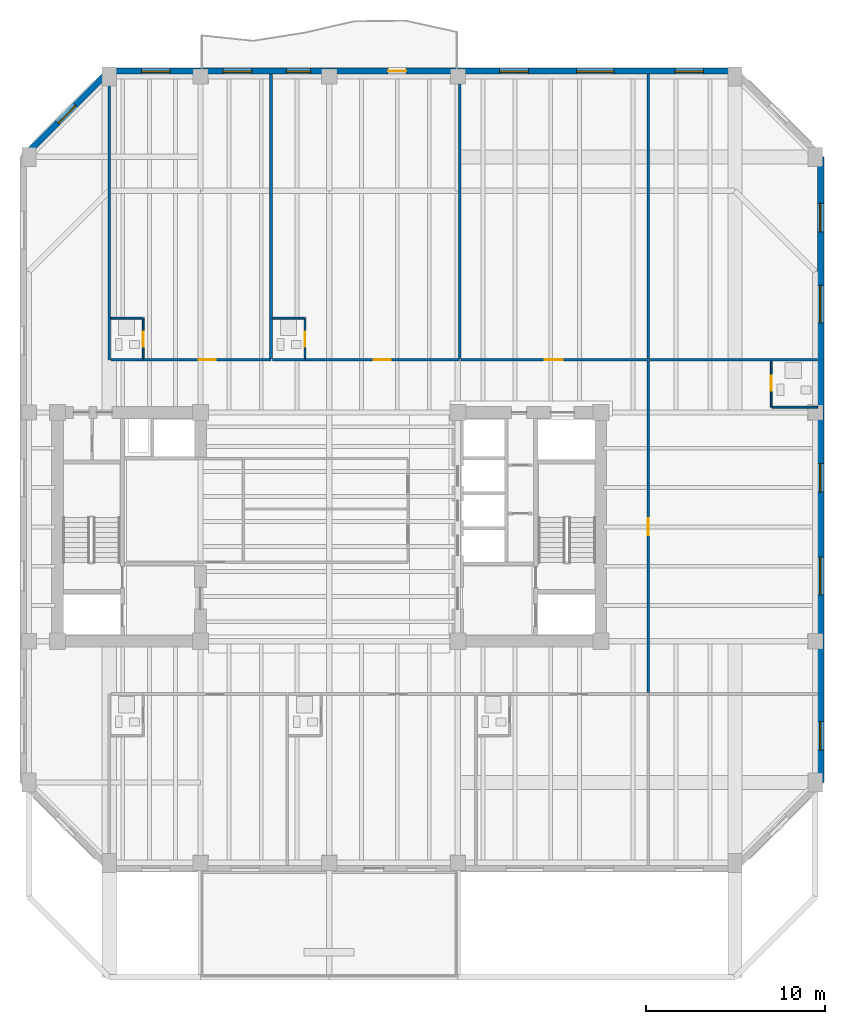
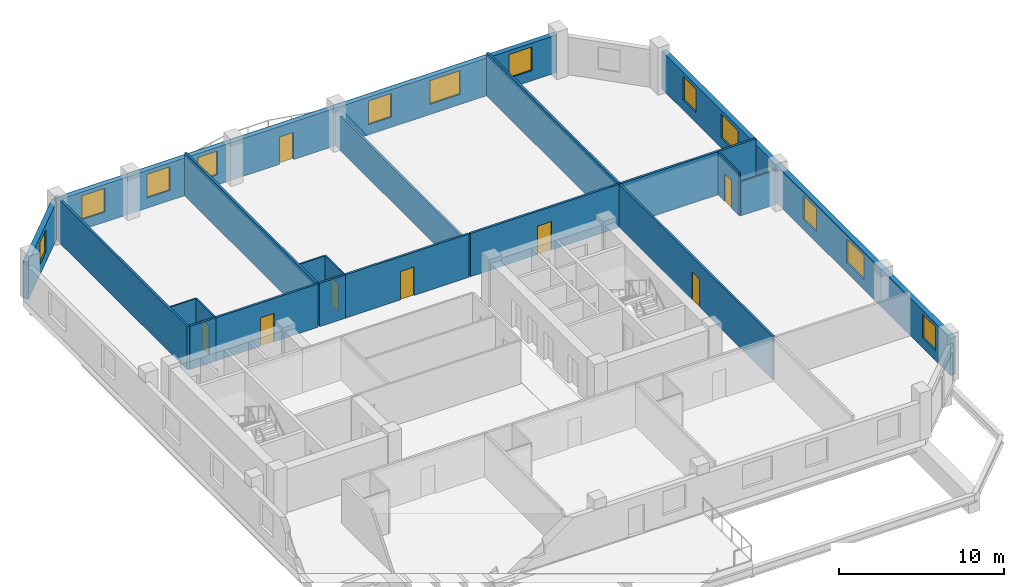
# One storey, part 5 of 10: 20 walls, 12 windows, 8 doors, 20 openings.
"""IFC4 building model written with IfcOpenShell, lengths in metres."""

from ifc_helpers import new_model, si_unit, direction, frame, frame_2d, origin, place, context, subcontext, project, spatial, rectangle, extrude, material, layer, layer_set, type_object, element, fill, save


model = new_model("IFC4")

# Units and contexts
model_context = context("Model", 3, precision=1e-05, world=origin(), true_north=direction((0.0, 1.0)))
body_context = subcontext(model_context, "Body", "Model", "MODEL_VIEW")
ifc_project = project(units=[si_unit("LENGTHUNIT", "METRE"), si_unit("AREAUNIT", "SQUARE_METRE"), si_unit("VOLUMEUNIT", "CUBIC_METRE"), si_unit("PLANEANGLEUNIT", "RADIAN"), si_unit("MASSUNIT", "GRAM", prefix="KILO")], contexts=[model_context])

# Site, building, storey
site_placement = place(None, origin())
site = spatial("IfcSite", under=ifc_project, at=site_placement, CompositionType="ELEMENT")
building_placement = place(site_placement, origin())
building = spatial("IfcBuilding", under=site, at=building_placement, Name="Kranthara Brick Stack", CompositionType="ELEMENT")
storey_placement = place(building_placement, frame((0.0, 0.0, 162.300048828125)))
storey = spatial("IfcBuildingStorey", under=building, at=storey_placement, Name="L41", CompositionType="ELEMENT", Elevation=162.300048828125)

# Wall, opening, window
ifc_material_1 = material(Name="Kiln-fired clay brick masonry M15", Category="masonry")
ifc_layer_1 = layer(ifc_material_1, 0.35009765625)
ifc_layer_set_1 = layer_set([ifc_layer_1], Name="Kiln-fired clay brick masonry M15")
wall_type_1 = type_object("IfcWallType", Name="WL-BRK-SPND-350", PredefinedType="STANDARD", material=ifc_layer_set_1)
wall_1_placement = place(storey_placement, frame((10.89501953125, 47.89990234375, 0.0), z_axis=(0.0, 0.0, 1.0), x_axis=(0.707088817216, 0.7071247447, 0.0)))
wall_1 = element("IfcWall", 1, at=wall_1_placement, inside=storey, type_object=wall_type_1, Name="L41 Exterior Brick Facade Wall NW 1", PredefinedType="STANDARD", context=body_context, shape_type="SweptSolid", body=[
    extrude(rectangle(XDim=6.79541015625, YDim=0.35009765625, at=frame_2d((3.397705078125, 0.0))), origin(), (0.0, 0.0, 1.0), 2.784912109375),
])
opening_1_placement = place(wall_1_placement, frame((2.697998046875, 0.0, 0.75)))
opening_1 = element("IfcOpeningElement", 2, at=opening_1_placement, cuts=wall_1, Name="Opening WN10", PredefinedType="OPENING", context=body_context, shape_type="SweptSolid", body=[
    extrude(rectangle(XDim=1.39990234375, YDim=1.64990234375, at=frame_2d((0.699951171875, 0.824951171875))), frame((0.0, 0.18505859375, 0.0), z_axis=(0.0, -1.0, 0.0), x_axis=(1.0, 0.0, 0.0)), (0.0, 0.0, 1.0), 0.3701171875),
])
ifc_material_2 = material(Name="Double-glazed low-E solar control glass", Category="glass")
window_type_1 = type_object("IfcWindowType", Name="WN-CHM-1400x1750", PartitioningType="SINGLE_PANEL", PredefinedType="WINDOW", material=ifc_material_2)
window_1_placement = place(opening_1_placement, origin())
window_1 = element("IfcWindow", 3, at=window_1_placement, inside=storey, type_object=window_type_1, Name="L41 NW Chamfer Corner Window", OverallHeight=1.64990234375, OverallWidth=1.39990234375, PartitioningType="SINGLE_PANEL", PredefinedType="WINDOW", context=body_context, shape_type="SweptSolid", body=[
    extrude(rectangle(XDim=1.39990234375, YDim=1.64990234375, at=frame_2d((0.699951171875, 0.824951171875))), frame((0.0, -0.010009765625, 0.0), z_axis=(0.0, -1.0, 0.0), x_axis=(1.0, 0.0, 0.0)), (0.0, 0.0, 1.0), 0.06005859375),
])
fill(opening_1, window_1)

# Wall, openings, door, windows
wall_2_placement = place(storey_placement, frame((15.699951171875, 52.705078125, 0.0), z_axis=(0.0, 0.0, 1.0), x_axis=(1.0, 0.0, 0.0)))
wall_2 = element("IfcWall", 4, at=wall_2_placement, inside=storey, type_object=wall_type_1, Name="L41 Exterior Brick Facade Wall NORTH 1", PredefinedType="STANDARD", context=body_context, shape_type="SweptSolid", body=[
    extrude(rectangle(XDim=35.0, YDim=0.35009765625, at=frame_2d((17.5, 0.0))), origin(), (0.0, 0.0, 1.0), 2.784912109375),
])
opening_2_placement = place(wall_2_placement, frame((15.60009765625, 0.0, 0.0)))
opening_2 = element("IfcOpeningElement", 5, at=opening_2_placement, cuts=wall_2, Name="Opening D03", PredefinedType="OPENING", context=body_context, shape_type="SweptSolid", body=[
    extrude(rectangle(XDim=1.0, YDim=2.02001953125, at=frame_2d((0.5, 1.010009765625))), frame((0.0, 0.18505859375, 0.0), z_axis=(0.0, -1.0, 0.0), x_axis=(1.0, 0.0, 0.0)), (0.0, 0.0, 1.0), 0.3701171875),
])
opening_3_placement = place(wall_2_placement, frame((1.800048828125, 0.0, 0.75)))
opening_3 = element("IfcOpeningElement", 6, at=opening_3_placement, cuts=wall_2, Name="Opening WN04", PredefinedType="OPENING", context=body_context, shape_type="SweptSolid", body=[
    extrude(rectangle(XDim=1.60009765625, YDim=1.75, at=frame_2d((0.800048828125, 0.875))), frame((0.0, 0.18505859375, 0.0), z_axis=(0.0, -1.0, 0.0), x_axis=(1.0, 0.0, 0.0)), (0.0, 0.0, 1.0), 0.3701171875),
])
opening_4_placement = place(wall_2_placement, frame((6.360107421875, 0.0, 0.75)))
opening_4 = element("IfcOpeningElement", 7, at=opening_4_placement, cuts=wall_2, Name="Opening WN04", PredefinedType="OPENING", context=body_context, shape_type="SweptSolid", body=[
    extrude(rectangle(XDim=1.60009765625, YDim=1.75, at=frame_2d((0.800048828125, 0.875))), frame((0.0, 0.18505859375, 0.0), z_axis=(0.0, -1.0, 0.0), x_axis=(1.0, 0.0, 0.0)), (0.0, 0.0, 1.0), 0.3701171875),
])
opening_5_placement = place(wall_2_placement, frame((9.909912109375, 0.0, 0.75)))
opening_5 = element("IfcOpeningElement", 8, at=opening_5_placement, cuts=wall_2, Name="Opening WN06", PredefinedType="OPENING", context=body_context, shape_type="SweptSolid", body=[
    extrude(rectangle(XDim=1.35009765625, YDim=1.75, at=frame_2d((0.675048828125, 0.875))), frame((0.0, 0.18505859375, 0.0), z_axis=(0.0, -1.0, 0.0), x_axis=(1.0, 0.0, 0.0)), (0.0, 0.0, 1.0), 0.3701171875),
])
opening_6_placement = place(wall_2_placement, frame((21.839111328125, 0.0, 0.75)))
opening_6 = element("IfcOpeningElement", 9, at=opening_6_placement, cuts=wall_2, Name="Opening WN04", PredefinedType="OPENING", context=body_context, shape_type="SweptSolid", body=[
    extrude(rectangle(XDim=1.60009765625, YDim=1.75, at=frame_2d((0.800048828125, 0.875))), frame((0.0, 0.18505859375, 0.0), z_axis=(0.0, -1.0, 0.0), x_axis=(1.0, 0.0, 0.0)), (0.0, 0.0, 1.0), 0.3701171875),
])
opening_7_placement = place(wall_2_placement, frame((26.136962890625, 0.0, 0.75)))
opening_7 = element("IfcOpeningElement", 10, at=opening_7_placement, cuts=wall_2, Name="Opening WN05", PredefinedType="OPENING", context=body_context, shape_type="SweptSolid", body=[
    extrude(rectangle(XDim=2.10009765625, YDim=1.75, at=frame_2d((1.050048828125, 0.875))), frame((0.0, 0.18505859375, 0.0), z_axis=(0.0, -1.0, 0.0), x_axis=(1.0, 0.0, 0.0)), (0.0, 0.0, 1.0), 0.3701171875),
])
opening_8_placement = place(wall_2_placement, frame((31.636962890625, 0.0, 0.75)))
opening_8 = element("IfcOpeningElement", 11, at=opening_8_placement, cuts=wall_2, Name="Opening WN04", PredefinedType="OPENING", context=body_context, shape_type="SweptSolid", body=[
    extrude(rectangle(XDim=1.60009765625, YDim=1.75, at=frame_2d((0.800048828125, 0.875))), frame((0.0, 0.18505859375, 0.0), z_axis=(0.0, -1.0, 0.0), x_axis=(1.0, 0.0, 0.0)), (0.0, 0.0, 1.0), 0.3701171875),
])
ifc_material_3 = material(Name="Bronze anodised aluminium and laminated glass", Category="aluminium")
door_type_1 = type_object("IfcDoorType", Name="DR-BALC-1000", OperationType="NOTDEFINED", PredefinedType="DOOR", material=ifc_material_3)
door_1_placement = place(opening_2_placement, origin())
door_1 = element("IfcDoor", 12, at=door_1_placement, inside=storey, type_object=door_type_1, Name="L41 North Balcony Terrace Door", OperationType="SINGLE_SWING_RIGHT", OverallHeight=2.02001953125, OverallWidth=1.0, PredefinedType="DOOR", context=body_context, shape_type="SweptSolid", body=[
    extrude(rectangle(XDim=1.0, YDim=2.02001953125, at=frame_2d((0.5, 1.010009765625))), frame((0.0, 0.02490234375, 0.0), z_axis=(0.0, -1.0, 0.0), x_axis=(1.0, 0.0, 0.0)), (0.0, 0.0, 1.0), 0.050048828125),
])
fill(opening_2, door_1)
ifc_material_4 = material(Name="Double-glazed low-E solar control glass", Category="glass")
window_type_2 = type_object("IfcWindowType", Name="WN-HTL-1350x1850", PartitioningType="SINGLE_PANEL", PredefinedType="WINDOW", material=ifc_material_4)
window_2_placement = place(opening_5_placement, origin())
window_2 = element("IfcWindow", 13, at=window_2_placement, inside=storey, type_object=window_type_2, Name="L41 North Deep-Set Brick Window 03", OverallHeight=1.75, OverallWidth=1.35009765625, PartitioningType="SINGLE_PANEL", PredefinedType="WINDOW", context=body_context, shape_type="SweptSolid", body=[
    extrude(rectangle(XDim=1.35009765625, YDim=1.75, at=frame_2d((0.675048828125, 0.875))), frame((0.0, -0.010009765625, 0.0), z_axis=(0.0, -1.0, 0.0), x_axis=(1.0, 0.0, 0.0)), (0.0, 0.0, 1.0), 0.06005859375),
])
fill(opening_5, window_2)
ifc_material_5 = material(Name="Double-glazed low-E solar control glass", Category="glass")
window_type_3 = type_object("IfcWindowType", Name="WN-HTL-1600x1850", PartitioningType="DOUBLE_PANEL_VERTICAL", PredefinedType="WINDOW", material=ifc_material_5)
window_3_placement = place(opening_3_placement, origin())
window_3 = element("IfcWindow", 14, at=window_3_placement, inside=storey, type_object=window_type_3, Name="L41 North Deep-Set Brick Window 01", OverallHeight=1.75, OverallWidth=1.60009765625, PartitioningType="SINGLE_PANEL", PredefinedType="WINDOW", context=body_context, shape_type="SweptSolid", body=[
    extrude(rectangle(XDim=1.60009765625, YDim=1.75, at=frame_2d((0.800048828125, 0.875))), frame((0.0, -0.010009765625, 0.0), z_axis=(0.0, -1.0, 0.0), x_axis=(1.0, 0.0, 0.0)), (0.0, 0.0, 1.0), 0.06005859375),
])
fill(opening_3, window_3)
window_4_placement = place(opening_4_placement, origin())
window_4 = element("IfcWindow", 15, at=window_4_placement, inside=storey, type_object=window_type_3, Name="L41 North Deep-Set Brick Window 02", OverallHeight=1.75, OverallWidth=1.60009765625, PartitioningType="SINGLE_PANEL", PredefinedType="WINDOW", context=body_context, shape_type="SweptSolid", body=[
    extrude(rectangle(XDim=1.60009765625, YDim=1.75, at=frame_2d((0.800048828125, 0.875))), frame((0.0, -0.010009765625, 0.0), z_axis=(0.0, -1.0, 0.0), x_axis=(1.0, 0.0, 0.0)), (0.0, 0.0, 1.0), 0.06005859375),
])
fill(opening_4, window_4)
window_5_placement = place(opening_6_placement, origin())
window_5 = element("IfcWindow", 16, at=window_5_placement, inside=storey, type_object=window_type_3, Name="L41 North Deep-Set Brick Window 04", OverallHeight=1.75, OverallWidth=1.60009765625, PartitioningType="SINGLE_PANEL", PredefinedType="WINDOW", context=body_context, shape_type="SweptSolid", body=[
    extrude(rectangle(XDim=1.60009765625, YDim=1.75, at=frame_2d((0.800048828125, 0.875))), frame((0.0, -0.010009765625, 0.0), z_axis=(0.0, -1.0, 0.0), x_axis=(1.0, 0.0, 0.0)), (0.0, 0.0, 1.0), 0.06005859375),
])
fill(opening_6, window_5)
window_6_placement = place(opening_8_placement, origin())
window_6 = element("IfcWindow", 17, at=window_6_placement, inside=storey, type_object=window_type_3, Name="L41 North Deep-Set Brick Window 06", OverallHeight=1.75, OverallWidth=1.60009765625, PartitioningType="SINGLE_PANEL", PredefinedType="WINDOW", context=body_context, shape_type="SweptSolid", body=[
    extrude(rectangle(XDim=1.60009765625, YDim=1.75, at=frame_2d((0.800048828125, 0.875))), frame((0.0, -0.010009765625, 0.0), z_axis=(0.0, -1.0, 0.0), x_axis=(1.0, 0.0, 0.0)), (0.0, 0.0, 1.0), 0.06005859375),
])
fill(opening_8, window_6)
ifc_material_6 = material(Name="Double-glazed low-E solar control glass", Category="glass")
window_type_4 = type_object("IfcWindowType", Name="WN-HTL-2100x1850", PartitioningType="DOUBLE_PANEL_VERTICAL", PredefinedType="WINDOW", material=ifc_material_6)
window_7_placement = place(opening_7_placement, origin())
window_7 = element("IfcWindow", 18, at=window_7_placement, inside=storey, type_object=window_type_4, Name="L41 North Deep-Set Brick Window 05", OverallHeight=1.75, OverallWidth=2.10009765625, PartitioningType="SINGLE_PANEL", PredefinedType="WINDOW", context=body_context, shape_type="SweptSolid", body=[
    extrude(rectangle(XDim=2.10009765625, YDim=1.75, at=frame_2d((1.050048828125, 0.875))), frame((0.0, -0.010009765625, 0.0), z_axis=(0.0, -1.0, 0.0), x_axis=(1.0, 0.0, 0.0)), (0.0, 0.0, 1.0), 0.06005859375),
])
fill(opening_7, window_7)

# Wall, openings, windows
wall_3_placement = place(storey_placement, frame((55.5048828125, 47.89990234375, 0.0), z_axis=(0.0, 0.0, 1.0), x_axis=(0.0, -1.0, 0.0)))
wall_3 = element("IfcWall", 19, at=wall_3_placement, inside=storey, type_object=wall_type_1, Name="L41 Exterior Brick Facade Wall EAST 1", PredefinedType="STANDARD", context=body_context, shape_type="SweptSolid", body=[
    extrude(rectangle(XDim=35.0, YDim=0.35009765625, at=frame_2d((17.5, 0.0))), origin(), (0.0, 0.0, 1.0), 2.784912109375),
])
opening_9_placement = place(wall_3_placement, frame((2.594970703125, 0.0, 0.75)))
opening_9 = element("IfcOpeningElement", 20, at=opening_9_placement, cuts=wall_3, Name="Opening WN04", PredefinedType="OPENING", context=body_context, shape_type="SweptSolid", body=[
    extrude(rectangle(XDim=1.60009765625, YDim=1.75, at=frame_2d((0.800048828125, 0.875))), frame((0.0, 0.18505859375, 0.0), z_axis=(0.0, -1.0, 0.0), x_axis=(1.0, 0.0, 0.0)), (0.0, 0.0, 1.0), 0.3701171875),
])
opening_10_placement = place(wall_3_placement, frame((7.180908203125, 0.0, 0.75)))
opening_10 = element("IfcOpeningElement", 21, at=opening_10_placement, cuts=wall_3, Name="Opening WN05", PredefinedType="OPENING", context=body_context, shape_type="SweptSolid", body=[
    extrude(rectangle(XDim=2.10009765625, YDim=1.75, at=frame_2d((1.050048828125, 0.875))), frame((0.0, 0.18505859375, 0.0), z_axis=(0.0, -1.0, 0.0), x_axis=(1.0, 0.0, 0.0)), (0.0, 0.0, 1.0), 0.3701171875),
])
opening_11_placement = place(wall_3_placement, frame((17.152099609375, 0.0, 0.75)))
opening_11 = element("IfcOpeningElement", 22, at=opening_11_placement, cuts=wall_3, Name="Opening WN04", PredefinedType="OPENING", context=body_context, shape_type="SweptSolid", body=[
    extrude(rectangle(XDim=1.60009765625, YDim=1.75, at=frame_2d((0.800048828125, 0.875))), frame((0.0, 0.18505859375, 0.0), z_axis=(0.0, -1.0, 0.0), x_axis=(1.0, 0.0, 0.0)), (0.0, 0.0, 1.0), 0.3701171875),
])
opening_12_placement = place(wall_3_placement, frame((22.39794921875, 0.0, 0.75)))
opening_12 = element("IfcOpeningElement", 23, at=opening_12_placement, cuts=wall_3, Name="Opening WN05", PredefinedType="OPENING", context=body_context, shape_type="SweptSolid", body=[
    extrude(rectangle(XDim=2.10009765625, YDim=1.75, at=frame_2d((1.050048828125, 0.875))), frame((0.0, 0.18505859375, 0.0), z_axis=(0.0, -1.0, 0.0), x_axis=(1.0, 0.0, 0.0)), (0.0, 0.0, 1.0), 0.3701171875),
])
opening_13_placement = place(wall_3_placement, frame((31.587890625, 0.0, 0.75)))
opening_13 = element("IfcOpeningElement", 24, at=opening_13_placement, cuts=wall_3, Name="Opening WN04", PredefinedType="OPENING", context=body_context, shape_type="SweptSolid", body=[
    extrude(rectangle(XDim=1.60009765625, YDim=1.75, at=frame_2d((0.800048828125, 0.875))), frame((0.0, 0.18505859375, 0.0), z_axis=(0.0, -1.0, 0.0), x_axis=(1.0, 0.0, 0.0)), (0.0, 0.0, 1.0), 0.3701171875),
])
window_8_placement = place(opening_9_placement, origin())
window_8 = element("IfcWindow", 25, at=window_8_placement, inside=storey, type_object=window_type_3, Name="L41 East Deep-Set Brick Window 01", OverallHeight=1.75, OverallWidth=1.60009765625, PartitioningType="SINGLE_PANEL", PredefinedType="WINDOW", context=body_context, shape_type="SweptSolid", body=[
    extrude(rectangle(XDim=1.60009765625, YDim=1.75, at=frame_2d((0.800048828125, 0.875))), frame((0.0, -0.010009765625, 0.0), z_axis=(0.0, -1.0, 0.0), x_axis=(1.0, 0.0, 0.0)), (0.0, 0.0, 1.0), 0.06005859375),
])
fill(opening_9, window_8)
window_9_placement = place(opening_11_placement, origin())
window_9 = element("IfcWindow", 26, at=window_9_placement, inside=storey, type_object=window_type_3, Name="L41 East Deep-Set Brick Window 03", OverallHeight=1.75, OverallWidth=1.60009765625, PartitioningType="SINGLE_PANEL", PredefinedType="WINDOW", context=body_context, shape_type="SweptSolid", body=[
    extrude(rectangle(XDim=1.60009765625, YDim=1.75, at=frame_2d((0.800048828125, 0.875))), frame((0.0, -0.010009765625, 0.0), z_axis=(0.0, -1.0, 0.0), x_axis=(1.0, 0.0, 0.0)), (0.0, 0.0, 1.0), 0.06005859375),
])
fill(opening_11, window_9)
window_10_placement = place(opening_13_placement, origin())
window_10 = element("IfcWindow", 27, at=window_10_placement, inside=storey, type_object=window_type_3, Name="L41 East Deep-Set Brick Window 05", OverallHeight=1.75, OverallWidth=1.60009765625, PartitioningType="SINGLE_PANEL", PredefinedType="WINDOW", context=body_context, shape_type="SweptSolid", body=[
    extrude(rectangle(XDim=1.60009765625, YDim=1.75, at=frame_2d((0.800048828125, 0.875))), frame((0.0, -0.010009765625, 0.0), z_axis=(0.0, -1.0, 0.0), x_axis=(1.0, 0.0, 0.0)), (0.0, 0.0, 1.0), 0.06005859375),
])
fill(opening_13, window_10)
window_11_placement = place(opening_10_placement, origin())
window_11 = element("IfcWindow", 28, at=window_11_placement, inside=storey, type_object=window_type_4, Name="L41 East Deep-Set Brick Window 02", OverallHeight=1.75, OverallWidth=2.10009765625, PartitioningType="SINGLE_PANEL", PredefinedType="WINDOW", context=body_context, shape_type="SweptSolid", body=[
    extrude(rectangle(XDim=2.10009765625, YDim=1.75, at=frame_2d((1.050048828125, 0.875))), frame((0.0, -0.010009765625, 0.0), z_axis=(0.0, -1.0, 0.0), x_axis=(1.0, 0.0, 0.0)), (0.0, 0.0, 1.0), 0.06005859375),
])
fill(opening_10, window_11)
window_12_placement = place(opening_12_placement, origin())
window_12 = element("IfcWindow", 29, at=window_12_placement, inside=storey, type_object=window_type_4, Name="L41 East Deep-Set Brick Window 04", OverallHeight=1.75, OverallWidth=2.10009765625, PartitioningType="SINGLE_PANEL", PredefinedType="WINDOW", context=body_context, shape_type="SweptSolid", body=[
    extrude(rectangle(XDim=2.10009765625, YDim=1.75, at=frame_2d((1.050048828125, 0.875))), frame((0.0, -0.010009765625, 0.0), z_axis=(0.0, -1.0, 0.0), x_axis=(1.0, 0.0, 0.0)), (0.0, 0.0, 1.0), 0.06005859375),
])
fill(opening_12, window_12)

# Wall, opening, door
ifc_material_7 = material(Name="Moisture-resistant wet-room partition", Category="other")
ifc_layer_2 = layer(ifc_material_7, 0.10009765625)
ifc_layer_set_2 = layer_set([ifc_layer_2], Name="Moisture-resistant wet-room partition")
wall_type_2 = type_object("IfcWallType", Name="WL-PART-100", PredefinedType="PARTITIONING", material=ifc_layer_set_2)
wall_4_placement = place(storey_placement, frame((17.60009765625, 36.6298828125, 0.0), z_axis=(0.0, 0.0, 1.0), x_axis=(0.0, 1.0, 0.0)))
wall_4 = element("IfcWall", 30, at=wall_4_placement, inside=storey, type_object=wall_type_2, Name="L41 Interior Partition 028", PredefinedType="PARTITIONING", context=body_context, shape_type="SweptSolid", body=[
    extrude(rectangle(XDim=2.25, YDim=0.10009765625, at=frame_2d((1.125, 0.0))), origin(), (0.0, 0.0, 1.0), 3.199951171875),
])
opening_14_placement = place(wall_4_placement, frame((0.639892578125, 0.0, 0.0)))
opening_14 = element("IfcOpeningElement", 31, at=opening_14_placement, cuts=wall_4, Name="Opening D17", PredefinedType="OPENING", context=body_context, shape_type="SweptSolid", body=[
    extrude(rectangle(XDim=0.85009765625, YDim=2.050048828125, at=frame_2d((0.425048828125, 1.02490234375))), frame((0.0, 0.06005859375, 0.0), z_axis=(0.0, -1.0, 0.0), x_axis=(1.0, 0.0, 0.0)), (0.0, 0.0, 1.0), 0.1201171875),
])
ifc_material_8 = material(Name="Solid-core hardwood timber leaf in steel frame", Category="steel")
door_type_2 = type_object("IfcDoorType", Name="DR-WET-850", OperationType="NOTDEFINED", PredefinedType="DOOR", material=ifc_material_8)
door_2_placement = place(opening_14_placement, origin())
door_2 = element("IfcDoor", 32, at=door_2_placement, inside=storey, type_object=door_type_2, Name="L41 Key 04 En-Suite Door 13", OperationType="SINGLE_SWING_LEFT", OverallHeight=2.050048828125, OverallWidth=0.85009765625, PredefinedType="DOOR", context=body_context, shape_type="SweptSolid", body=[
    extrude(rectangle(XDim=0.85009765625, YDim=2.050048828125, at=frame_2d((0.425048828125, 1.02490234375))), frame((0.0, 0.02490234375, 0.0), z_axis=(0.0, -1.0, 0.0), x_axis=(1.0, 0.0, 0.0)), (0.0, 0.0, 1.0), 0.050048828125),
])
fill(opening_14, door_2)

# Wall
wall_5_placement = place(storey_placement, frame((15.780029296875, 38.8798828125, 0.0), z_axis=(0.0, 0.0, 1.0), x_axis=(1.0, 0.0, 0.0)))
element("IfcWall", 33, at=wall_5_placement, inside=storey, type_object=wall_type_2, Name="L41 Interior Partition 029", PredefinedType="PARTITIONING", context=body_context, shape_type="SweptSolid", body=[
    extrude(rectangle(XDim=1.764892578125, YDim=0.10009765625, at=frame_2d((0.88232421875, 0.0))), origin(), (0.0, 0.0, 1.0), 3.199951171875),
])

# Wall, opening, door
wall_6_placement = place(storey_placement, frame((26.64501953125, 36.6298828125, 0.0), z_axis=(0.0, 0.0, 1.0), x_axis=(0.0, 1.0, 0.0)))
wall_6 = element("IfcWall", 34, at=wall_6_placement, inside=storey, type_object=wall_type_2, Name="L41 Interior Partition 033", PredefinedType="PARTITIONING", context=body_context, shape_type="SweptSolid", body=[
    extrude(rectangle(XDim=2.25, YDim=0.10009765625, at=frame_2d((1.125, 0.0))), origin(), (0.0, 0.0, 1.0), 3.199951171875),
])
opening_15_placement = place(wall_6_placement, frame((0.639892578125, 0.0, 0.0)))
opening_15 = element("IfcOpeningElement", 35, at=opening_15_placement, cuts=wall_6, Name="Opening D17", PredefinedType="OPENING", context=body_context, shape_type="SweptSolid", body=[
    extrude(rectangle(XDim=0.85009765625, YDim=2.050048828125, at=frame_2d((0.425048828125, 1.02490234375))), frame((0.0, 0.06005859375, 0.0), z_axis=(0.0, -1.0, 0.0), x_axis=(1.0, 0.0, 0.0)), (0.0, 0.0, 1.0), 0.1201171875),
])
door_3_placement = place(opening_15_placement, origin())
door_3 = element("IfcDoor", 36, at=door_3_placement, inside=storey, type_object=door_type_2, Name="L41 Key 05 En-Suite Door 15", OperationType="SINGLE_SWING_LEFT", OverallHeight=2.050048828125, OverallWidth=0.85009765625, PredefinedType="DOOR", context=body_context, shape_type="SweptSolid", body=[
    extrude(rectangle(XDim=0.85009765625, YDim=2.050048828125, at=frame_2d((0.425048828125, 1.02490234375))), frame((0.0, 0.02490234375, 0.0), z_axis=(0.0, -1.0, 0.0), x_axis=(1.0, 0.0, 0.0)), (0.0, 0.0, 1.0), 0.050048828125),
])
fill(opening_15, door_3)

# Wall
wall_7_placement = place(storey_placement, frame((24.824951171875, 38.8798828125, 0.0), z_axis=(0.0, 0.0, 1.0), x_axis=(1.0, 0.0, 0.0)))
element("IfcWall", 37, at=wall_7_placement, inside=storey, type_object=wall_type_2, Name="L41 Interior Partition 034", PredefinedType="PARTITIONING", context=body_context, shape_type="SweptSolid", body=[
    extrude(rectangle(XDim=1.76513671875, YDim=0.10009765625, at=frame_2d((0.882568359375, 0.0))), origin(), (0.0, 0.0, 1.0), 3.199951171875),
])

# Wall, opening, door
wall_8_placement = place(storey_placement, frame((52.72998046875, 33.89990234375, 0.0), z_axis=(0.0, 0.0, 1.0), x_axis=(0.0, 1.0, 0.0)))
wall_8 = element("IfcWall", 38, at=wall_8_placement, inside=storey, type_object=wall_type_2, Name="L41 Interior Partition 041", PredefinedType="PARTITIONING", context=body_context, shape_type="SweptSolid", body=[
    extrude(rectangle(XDim=2.570068359375, YDim=0.10009765625, at=frame_2d((1.28515625, 0.0))), origin(), (0.0, 0.0, 1.0), 3.199951171875),
])
opening_16_placement = place(wall_8_placement, frame((0.905029296875, 0.0, 0.0)))
opening_16 = element("IfcOpeningElement", 39, at=opening_16_placement, cuts=wall_8, Name="Opening D17", PredefinedType="OPENING", context=body_context, shape_type="SweptSolid", body=[
    extrude(rectangle(XDim=0.85009765625, YDim=2.050048828125, at=frame_2d((0.425048828125, 1.02490234375))), frame((0.0, 0.06005859375, 0.0), z_axis=(0.0, -1.0, 0.0), x_axis=(1.0, 0.0, 0.0)), (0.0, 0.0, 1.0), 0.1201171875),
])
door_4_placement = place(opening_16_placement, origin())
door_4 = element("IfcDoor", 40, at=door_4_placement, inside=storey, type_object=door_type_2, Name="L41 East Key 7 Bath 18", OperationType="SINGLE_SWING_RIGHT", OverallHeight=2.050048828125, OverallWidth=0.85009765625, PredefinedType="DOOR", context=body_context, shape_type="SweptSolid", body=[
    extrude(rectangle(XDim=0.85009765625, YDim=2.050048828125, at=frame_2d((0.425048828125, 1.02490234375))), frame((0.0, 0.02490234375, 0.0), z_axis=(0.0, -1.0, 0.0), x_axis=(1.0, 0.0, 0.0)), (0.0, 0.0, 1.0), 0.050048828125),
])
fill(opening_16, door_4)

# Walls
wall_9_placement = place(storey_placement, frame((52.784912109375, 33.89990234375, 0.0), z_axis=(0.0, 0.0, 1.0), x_axis=(1.0, 0.0, 0.0)))
element("IfcWall", 41, at=wall_9_placement, inside=storey, type_object=wall_type_2, Name="L41 Interior Partition 042", PredefinedType="PARTITIONING", context=body_context, shape_type="SweptSolid", body=[
    extrude(rectangle(XDim=2.5400390625, YDim=0.10009765625, at=frame_2d((1.27001953125, 0.0))), origin(), (0.0, 0.0, 1.0), 2.534912109375),
])
ifc_material_9 = material(Name="Fire-rated gypsum board partition", Category="other")
ifc_layer_3 = layer(ifc_material_9, 0.14990234375)
ifc_layer_set_3 = layer_set([ifc_layer_3], Name="Fire-rated gypsum board partition")
wall_type_3 = type_object("IfcWallType", Name="WL-PART-150", PredefinedType="PARTITIONING", material=ifc_layer_set_3)
wall_10_placement = place(storey_placement, frame((15.699951171875, 36.550048828125, 0.0), z_axis=(0.0, 0.0, 1.0), x_axis=(0.0, 1.0, 0.0)))
element("IfcWall", 42, at=wall_10_placement, inside=storey, type_object=wall_type_3, Name="L41 Interior Partition 025", PredefinedType="PARTITIONING", context=body_context, shape_type="SweptSolid", body=[
    extrude(rectangle(XDim=15.974853515625, YDim=0.14990234375, at=frame_2d((7.9873046875, 0.0))), origin(), (0.0, 0.0, 1.0), 3.199951171875),
])
wall_11_placement = place(storey_placement, frame((15.780029296875, 36.550048828125, 0.0), z_axis=(0.0, 0.0, 1.0), x_axis=(1.0, 0.0, 0.0)))
element("IfcWall", 43, at=wall_11_placement, inside=storey, type_object=wall_type_3, Name="L41 Interior Partition 026", PredefinedType="PARTITIONING", context=body_context, shape_type="SweptSolid", body=[
    extrude(rectangle(XDim=1.820068359375, YDim=0.14990234375, at=frame_2d((0.91015625, 0.0))), origin(), (0.0, 0.0, 1.0), 3.199951171875),
])

# Wall, opening, door
wall_12_placement = place(storey_placement, frame((17.60009765625, 36.550048828125, 0.0), z_axis=(0.0, 0.0, 1.0), x_axis=(1.0, 0.0, 0.0)))
wall_12 = element("IfcWall", 44, at=wall_12_placement, inside=storey, type_object=wall_type_3, Name="L41 Interior Partition 027", PredefinedType="PARTITIONING", context=body_context, shape_type="SweptSolid", body=[
    extrude(rectangle(XDim=7.14501953125, YDim=0.14990234375, at=frame_2d((3.572509765625, 0.0))), origin(), (0.0, 0.0, 1.0), 3.199951171875),
])
opening_17_placement = place(wall_12_placement, frame((3.092041015625, 0.0, 0.0)))
opening_17 = element("IfcOpeningElement", 45, at=opening_17_placement, cuts=wall_12, Name="Opening D09", PredefinedType="OPENING", context=body_context, shape_type="SweptSolid", body=[
    extrude(rectangle(XDim=0.949951171875, YDim=2.10009765625, at=frame_2d((0.47509765625, 1.050048828125))), frame((0.0, 0.0849609375, 0.0), z_axis=(0.0, -1.0, 0.0), x_axis=(1.0, 0.0, 0.0)), (0.0, 0.0, 1.0), 0.169921875),
])
ifc_material_10 = material(Name="Solid-core hardwood timber leaf in steel frame", Category="steel")
door_type_3 = type_object("IfcDoorType", Name="DR-FD-950", OperationType="NOTDEFINED", PredefinedType="DOOR", material=ifc_material_10)
door_5_placement = place(opening_17_placement, origin())
door_5 = element("IfcDoor", 46, at=door_5_placement, inside=storey, type_object=door_type_3, Name="L41 Key 04 Entry 14", OperationType="SINGLE_SWING_RIGHT", OverallHeight=2.10009765625, OverallWidth=0.949951171875, PredefinedType="DOOR", context=body_context, shape_type="SweptSolid", body=[
    extrude(rectangle(XDim=0.949951171875, YDim=2.10009765625, at=frame_2d((0.47509765625, 1.050048828125))), frame((0.0, 0.02490234375, 0.0), z_axis=(0.0, -1.0, 0.0), x_axis=(1.0, 0.0, 0.0)), (0.0, 0.0, 1.0), 0.050048828125),
])
fill(opening_17, door_5)

# Walls
wall_13_placement = place(storey_placement, frame((24.7451171875, 36.6298828125, 0.0), z_axis=(0.0, 0.0, 1.0), x_axis=(0.0, 1.0, 0.0)))
element("IfcWall", 47, at=wall_13_placement, inside=storey, type_object=wall_type_3, Name="L41 Interior Partition 030", PredefinedType="PARTITIONING", context=body_context, shape_type="SweptSolid", body=[
    extrude(rectangle(XDim=15.89501953125, YDim=0.14990234375, at=frame_2d((7.947509765625, 0.0))), origin(), (0.0, 0.0, 1.0), 3.199951171875),
])
wall_14_placement = place(storey_placement, frame((24.824951171875, 36.550048828125, 0.0), z_axis=(0.0, 0.0, 1.0), x_axis=(1.0, 0.0, 0.0)))
element("IfcWall", 48, at=wall_14_placement, inside=storey, type_object=wall_type_3, Name="L41 Interior Partition 031", PredefinedType="PARTITIONING", context=body_context, shape_type="SweptSolid", body=[
    extrude(rectangle(XDim=1.820068359375, YDim=0.14990234375, at=frame_2d((0.91015625, 0.0))), origin(), (0.0, 0.0, 1.0), 3.199951171875),
])

# Wall, opening, door
wall_15_placement = place(storey_placement, frame((26.64501953125, 36.550048828125, 0.0), z_axis=(0.0, 0.0, 1.0), x_axis=(1.0, 0.0, 0.0)))
wall_15 = element("IfcWall", 49, at=wall_15_placement, inside=storey, type_object=wall_type_3, Name="L41 Interior Partition 032", PredefinedType="PARTITIONING", context=body_context, shape_type="SweptSolid", body=[
    extrude(rectangle(XDim=8.652099609375, YDim=0.14990234375, at=frame_2d((4.326171875, 0.0))), origin(), (0.0, 0.0, 1.0), 3.199951171875),
])
opening_18_placement = place(wall_15_placement, frame((3.845947265625, 0.0, 0.0)))
opening_18 = element("IfcOpeningElement", 50, at=opening_18_placement, cuts=wall_15, Name="Opening D09", PredefinedType="OPENING", context=body_context, shape_type="SweptSolid", body=[
    extrude(rectangle(XDim=0.949951171875, YDim=2.10009765625, at=frame_2d((0.47509765625, 1.050048828125))), frame((0.0, 0.0849609375, 0.0), z_axis=(0.0, -1.0, 0.0), x_axis=(1.0, 0.0, 0.0)), (0.0, 0.0, 1.0), 0.169921875),
])
door_6_placement = place(opening_18_placement, origin())
door_6 = element("IfcDoor", 51, at=door_6_placement, inside=storey, type_object=door_type_3, Name="L41 Key 05 Entry 16", OperationType="SINGLE_SWING_RIGHT", OverallHeight=2.10009765625, OverallWidth=0.949951171875, PredefinedType="DOOR", context=body_context, shape_type="SweptSolid", body=[
    extrude(rectangle(XDim=0.949951171875, YDim=2.10009765625, at=frame_2d((0.47509765625, 1.050048828125))), frame((0.0, 0.02490234375, 0.0), z_axis=(0.0, -1.0, 0.0), x_axis=(1.0, 0.0, 0.0)), (0.0, 0.0, 1.0), 0.050048828125),
])
fill(opening_18, door_6)

# Wall
wall_16_placement = place(storey_placement, frame((35.297119140625, 36.6298828125, 0.0), z_axis=(0.0, 0.0, 1.0), x_axis=(0.0, 1.0, 0.0)))
element("IfcWall", 52, at=wall_16_placement, inside=storey, type_object=wall_type_3, Name="L41 Interior Partition 035", PredefinedType="PARTITIONING", context=body_context, shape_type="SweptSolid", body=[
    extrude(rectangle(XDim=15.89501953125, YDim=0.14990234375, at=frame_2d((7.947509765625, 0.0))), origin(), (0.0, 0.0, 1.0), 2.534912109375),
])

# Wall, opening, door
wall_17_placement = place(storey_placement, frame((35.376953125, 36.550048828125, 0.0), z_axis=(0.0, 0.0, 1.0), x_axis=(1.0, 0.0, 0.0)))
wall_17 = element("IfcWall", 53, at=wall_17_placement, inside=storey, type_object=wall_type_3, Name="L41 Interior Partition 036", PredefinedType="PARTITIONING", context=body_context, shape_type="SweptSolid", body=[
    extrude(rectangle(XDim=10.47314453125, YDim=0.14990234375, at=frame_2d((5.236572265625, 0.0))), origin(), (0.0, 0.0, 1.0), 3.199951171875),
])
opening_19_placement = place(wall_17_placement, frame((4.676025390625, 0.0, 0.0)))
opening_19 = element("IfcOpeningElement", 54, at=opening_19_placement, cuts=wall_17, Name="Opening D08", PredefinedType="OPENING", context=body_context, shape_type="SweptSolid", body=[
    extrude(rectangle(XDim=1.0, YDim=2.10009765625, at=frame_2d((0.5, 1.050048828125))), frame((0.0, 0.0849609375, 0.0), z_axis=(0.0, -1.0, 0.0), x_axis=(1.0, 0.0, 0.0)), (0.0, 0.0, 1.0), 0.169921875),
])
ifc_material_11 = material(Name="Solid-core hardwood timber leaf in steel frame", Category="steel")
door_type_4 = type_object("IfcDoorType", Name="DR-FD-1000", OperationType="NOTDEFINED", PredefinedType="DOOR", material=ifc_material_11)
door_7_placement = place(opening_19_placement, origin())
door_7 = element("IfcDoor", 55, at=door_7_placement, inside=storey, type_object=door_type_4, Name="L41 Guest Lounge 17", OperationType="SINGLE_SWING_LEFT", OverallHeight=2.10009765625, OverallWidth=1.0, PredefinedType="DOOR", context=body_context, shape_type="SweptSolid", body=[
    extrude(rectangle(XDim=1.0, YDim=2.10009765625, at=frame_2d((0.5, 1.050048828125))), frame((0.0, 0.02490234375, 0.0), z_axis=(0.0, -1.0, 0.0), x_axis=(1.0, 0.0, 0.0)), (0.0, 0.0, 1.0), 0.050048828125),
])
fill(opening_19, door_7)

# Walls
wall_18_placement = place(storey_placement, frame((45.85009765625, 36.6298828125, 0.0), z_axis=(0.0, 0.0, 1.0), x_axis=(0.0, 1.0, 0.0)))
element("IfcWall", 56, at=wall_18_placement, inside=storey, type_object=wall_type_3, Name="L41 Interior Partition 037", PredefinedType="PARTITIONING", context=body_context, shape_type="SweptSolid", body=[
    extrude(rectangle(XDim=15.89501953125, YDim=0.14990234375, at=frame_2d((7.947509765625, 0.0))), origin(), (0.0, 0.0, 1.0), 3.199951171875),
])
wall_19_placement = place(storey_placement, frame((45.929931640625, 36.550048828125, 0.0), z_axis=(0.0, 0.0, 1.0), x_axis=(1.0, 0.0, 0.0)))
element("IfcWall", 57, at=wall_19_placement, inside=storey, type_object=wall_type_3, Name="L41 Interior Partition 039", PredefinedType="PARTITIONING", context=body_context, shape_type="SweptSolid", body=[
    extrude(rectangle(XDim=9.39501953125, YDim=0.14990234375, at=frame_2d((4.697509765625, 0.0))), origin(), (0.0, 0.0, 1.0), 3.199951171875),
])

# Wall, opening, door
wall_20_placement = place(storey_placement, frame((45.85009765625, 17.929931640625, 0.0), z_axis=(0.0, 0.0, 1.0), x_axis=(0.0, 1.0, 0.0)))
wall_20 = element("IfcWall", 58, at=wall_20_placement, inside=storey, type_object=wall_type_3, Name="L41 Interior Partition 040", PredefinedType="PARTITIONING", context=body_context, shape_type="SweptSolid", body=[
    extrude(rectangle(XDim=18.5400390625, YDim=0.14990234375, at=frame_2d((9.27001953125, 0.0))), origin(), (0.0, 0.0, 1.0), 3.199951171875),
])
opening_20_placement = place(wall_20_placement, frame((8.7900390625, 0.0, 0.0)))
opening_20 = element("IfcOpeningElement", 59, at=opening_20_placement, cuts=wall_20, Name="Opening D09", PredefinedType="OPENING", context=body_context, shape_type="SweptSolid", body=[
    extrude(rectangle(XDim=0.949951171875, YDim=2.10009765625, at=frame_2d((0.47509765625, 1.050048828125))), frame((0.0, 0.0849609375, 0.0), z_axis=(0.0, -1.0, 0.0), x_axis=(1.0, 0.0, 0.0)), (0.0, 0.0, 1.0), 0.169921875),
])
door_8_placement = place(opening_20_placement, origin())
door_8 = element("IfcDoor", 60, at=door_8_placement, inside=storey, type_object=door_type_3, Name="L41 East Key 7 19", OperationType="SINGLE_SWING_LEFT", OverallHeight=2.10009765625, OverallWidth=0.949951171875, PredefinedType="DOOR", context=body_context, shape_type="SweptSolid", body=[
    extrude(rectangle(XDim=0.949951171875, YDim=2.10009765625, at=frame_2d((0.47509765625, 1.050048828125))), frame((0.0, 0.02490234375, 0.0), z_axis=(0.0, -1.0, 0.0), x_axis=(1.0, 0.0, 0.0)), (0.0, 0.0, 1.0), 0.050048828125),
])
fill(opening_20, door_8)

save(model, "model.ifc")
